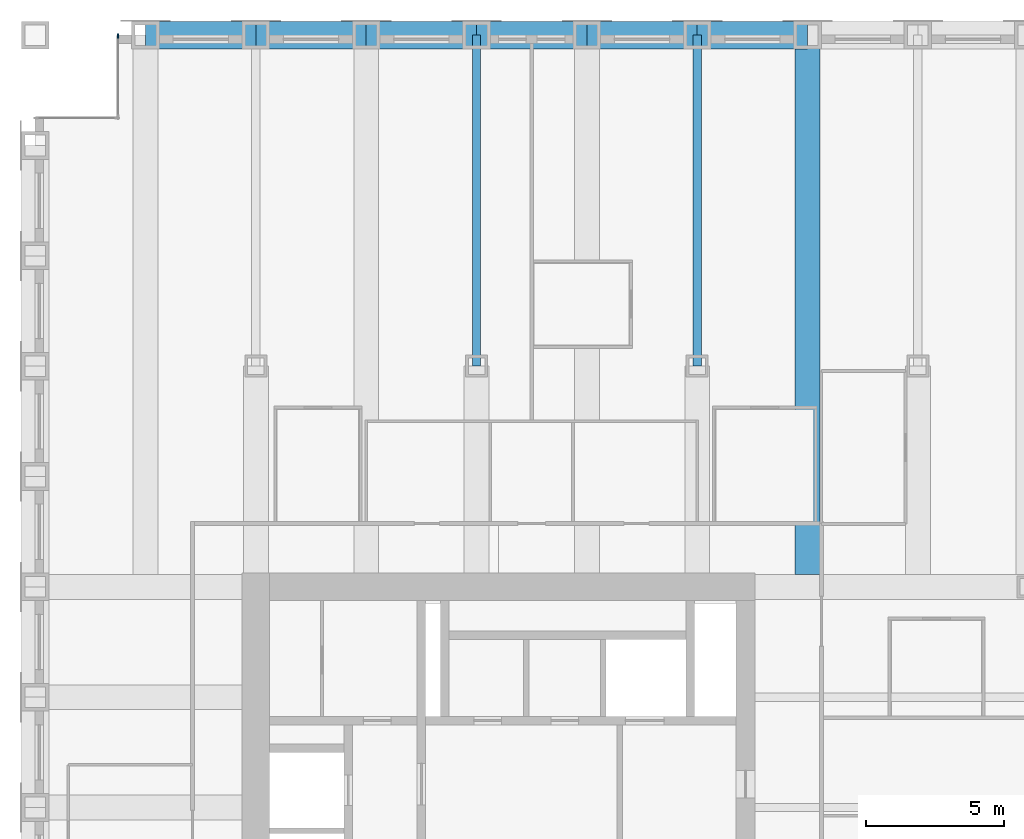
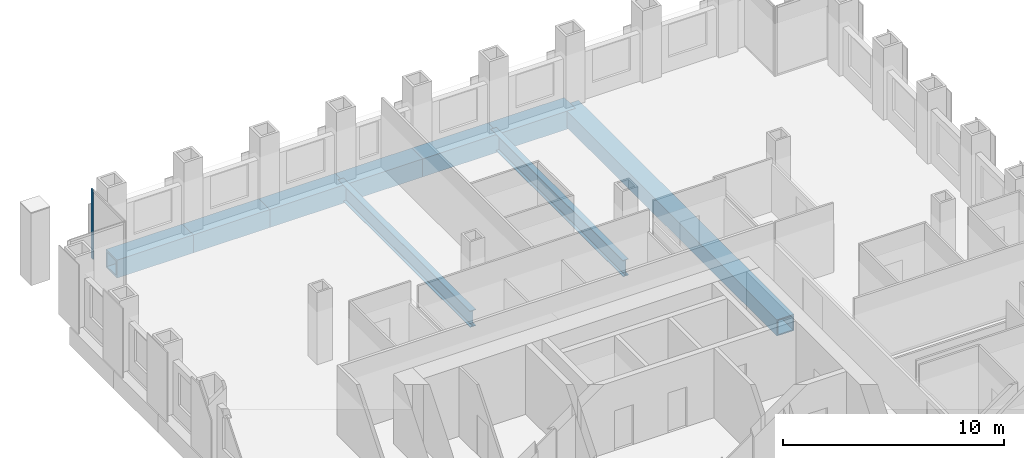
# One storey, part 6 of 14: 9 beams, 1 member, 1 element without a shape of its own.
"""IFC4 building model written with IfcOpenShell, lengths in metres."""

from ifc_helpers import new_model, si_unit, direction, frame, origin, origin_2d, place, context, subcontext, project, spatial, rectangle, hollow_rectangle, i_section, extrude, material, material_profile, profile_set, type_object, element, aggregate, save


model = new_model("IFC4")

# Units and contexts
model_context = context("Model", 3, precision=1e-05, world=origin(), true_north=direction((0.0, 1.0)))
body_context = subcontext(model_context, "Body", "Model", "MODEL_VIEW")
ifc_project = project(units=[si_unit("LENGTHUNIT", "METRE"), si_unit("AREAUNIT", "SQUARE_METRE"), si_unit("VOLUMEUNIT", "CUBIC_METRE"), si_unit("PLANEANGLEUNIT", "RADIAN"), si_unit("MASSUNIT", "GRAM", prefix="KILO")], contexts=[model_context])

# Site, building, storey
site_placement = place(None, origin())
site = spatial("IfcSite", under=ifc_project, at=site_placement, CompositionType="ELEMENT")
building_placement = place(site_placement, origin())
building = spatial("IfcBuilding", under=site, at=building_placement, Name="Rimbunsela Tower", CompositionType="ELEMENT")
storey_placement = place(building_placement, frame((0.0, 0.0, 234.199951171875)))
storey = spatial("IfcBuildingStorey", under=building, at=storey_placement, Name="L56", CompositionType="ELEMENT", Elevation=234.199951171875)

# Beams
ifc_material_1 = material(Name="Steel BJ 55 (fy 410 MPa)", Category="steel")
ifc_material_profile_1 = material_profile(ifc_material_1, hollow_rectangle(XDim=1.0, YDim=1.0, WallThickness=0.10009765625, at=origin_2d()), Name="BOX 1000x1000x100")
ifc_profile_set_1 = profile_set([ifc_material_profile_1], Name="Steel BJ 55 (fy 410 MPa)")
beam_type_1 = type_object("IfcBeamType", Name="Beam BOX 1000x1000x100", PredefinedType="BEAM", material=ifc_profile_set_1)
for number, where, z_axis, x_axis, name in (
    (1, (14.0, 56.0, -0.64990234375), (1.0, 0.0, 0.0), (0.0, 1.0, 0.0), "Beam B3 L56"),
    (2, (18.0, 56.0, -0.64990234375), (1.0, 0.0, 0.0), (0.0, 1.0, 0.0), "Beam B3 L56"),
    (3, (22.0, 56.0, -0.64990234375), (1.0, 0.0, 0.0), (0.0, 1.0, 0.0), "Beam B3 L56"),
    (4, (26.0, 56.0, -0.64990234375), (1.0, 0.0, 0.0), (0.0, 1.0, 0.0), "Beam B3 L56"),
    (5, (30.0, 56.0, -0.64990234375), (1.0, 0.0, 0.0), (0.0, 1.0, 0.0), "Beam B3 L56"),
    (6, (34.0, 56.0, -0.64990234375), (1.0, 0.0, 0.0), (0.0, 1.0, 0.0), "Beam B3 L56"),
):
    element("IfcBeam", number, at=place(storey_placement, frame(where, z_axis=z_axis, x_axis=x_axis)), inside=storey, type_object=beam_type_1, Name=name, PredefinedType="BEAM", context=body_context, shape_type="SweptSolid", body=[
        extrude(hollow_rectangle(XDim=1.0, YDim=1.0, WallThickness=0.10009765625, at=origin_2d()), origin(), (0.0, 0.0, 1.0), 4.0),
    ])
ifc_material_2 = material(Name="Steel BJ 55 (fy 410 MPa)", Category="steel")
ifc_material_profile_2 = material_profile(ifc_material_2, hollow_rectangle(XDim=0.89990234375, YDim=0.89990234375, WallThickness=0.06005859375, at=origin_2d()), Name="BOX 900x900x60")
ifc_profile_set_2 = profile_set([ifc_material_profile_2], Name="Steel BJ 55 (fy 410 MPa)")
beam_type_2 = type_object("IfcBeamType", Name="Beam BOX 900x900x60", PredefinedType="BEAM", material=ifc_profile_set_2)
beam_placement = place(storey_placement, frame((38.0, 36.449951171875, -0.599853515625), z_axis=(0.0, 1.0, 0.0), x_axis=(-1.0, 0.0, 0.0)))
element("IfcBeam", 7, at=beam_placement, inside=storey, type_object=beam_type_2, Name="Beam B1 L56", PredefinedType="BEAM", context=body_context, shape_type="SweptSolid", body=[
    extrude(hollow_rectangle(XDim=0.89990234375, YDim=0.89990234375, WallThickness=0.06005859375, at=origin_2d()), origin(), (0.0, 0.0, 1.0), 19.550048828125),
])
ifc_material_3 = material(Name="Steel BJ 55 (fy 410 MPa)", Category="steel")
ifc_material_profile_3 = material_profile(ifc_material_3, i_section(OverallWidth=0.300048828125, OverallDepth=0.89990234375, WebThickness=0.01611328125, FlangeThickness=0.028076171875, FilletRadius=0.028076171875, at=origin_2d()), Name="H 900x300x16x28")
ifc_profile_set_3 = profile_set([ifc_material_profile_3], Name="Steel BJ 55 (fy 410 MPa)")
beam_type_3 = type_object("IfcBeamType", Name="Beam H 900x300x16x28", PredefinedType="BEAM", material=ifc_profile_set_3)
for number, where, z_axis, x_axis, name in (
    (8, (26.0, 44.0, -0.599853515625), (0.0, 1.0, 0.0), (-1.0, 0.0, 0.0), "Beam B2 L56"),
    (9, (34.0, 44.0, -0.599853515625), (0.0, 1.0, 0.0), (-1.0, 0.0, 0.0), "Beam B2 L56"),
):
    element("IfcBeam", number, at=place(storey_placement, frame(where, z_axis=z_axis, x_axis=x_axis)), inside=storey, type_object=beam_type_3, Name=name, PredefinedType="BEAM", context=body_context, shape_type="SweptSolid", body=[
        extrude(i_section(OverallWidth=0.300048828125, OverallDepth=0.89990234375, WebThickness=0.01611328125, FlangeThickness=0.028076171875, FilletRadius=0.028076171875, at=origin_2d()), origin(), (0.0, 0.0, 1.0), 12.0),
    ])

# Curtain wall, member
ifc_material_4 = material(Name="Aluminium curtain wall", Category="aluminium")
curtain_wall_type = type_object("IfcCurtainWallType", Name="Corner glazing", PredefinedType="USERDEFINED", material=ifc_material_4)
curtain_wall_placement = place(storey_placement, origin())
curtain_wall = element("IfcCurtainWall", 10, at=curtain_wall_placement, inside=storey, type_object=curtain_wall_type, Name="Corner glazing L56", ObjectType="CORNER GLAZING", PredefinedType="USERDEFINED")
ifc_material_5 = material(Name="Aluminium mullion", Category="aluminium")
ifc_material_profile_4 = material_profile(ifc_material_5, rectangle(XDim=0.06005859375, YDim=0.159912109375, at=origin_2d()), Name="Mullion 60x160")
ifc_profile_set_4 = profile_set([ifc_material_profile_4], Name="Aluminium mullion")
member_type = type_object("IfcMemberType", Name="Curtain wall mullion 60x160", PredefinedType="MULLION", material=ifc_profile_set_4)
member_placement = place(storey_placement, frame((13.0, 55.969970703125, 0.0), z_axis=(0.0, 0.0, 1.0), x_axis=(1.0, 0.0, 0.0)))
member = element("IfcMember", 11, at=member_placement, type_object=member_type, Name="CW5 mullion 1", PredefinedType="MULLION", context=body_context, shape_type="SweptSolid", body=[
    extrude(rectangle(XDim=0.06005859375, YDim=0.159912109375, at=origin_2d()), origin(), (0.0, 0.0, 1.0), 3.85009765625),
])
aggregate(curtain_wall, [member])

save(model, "model.ifc")
